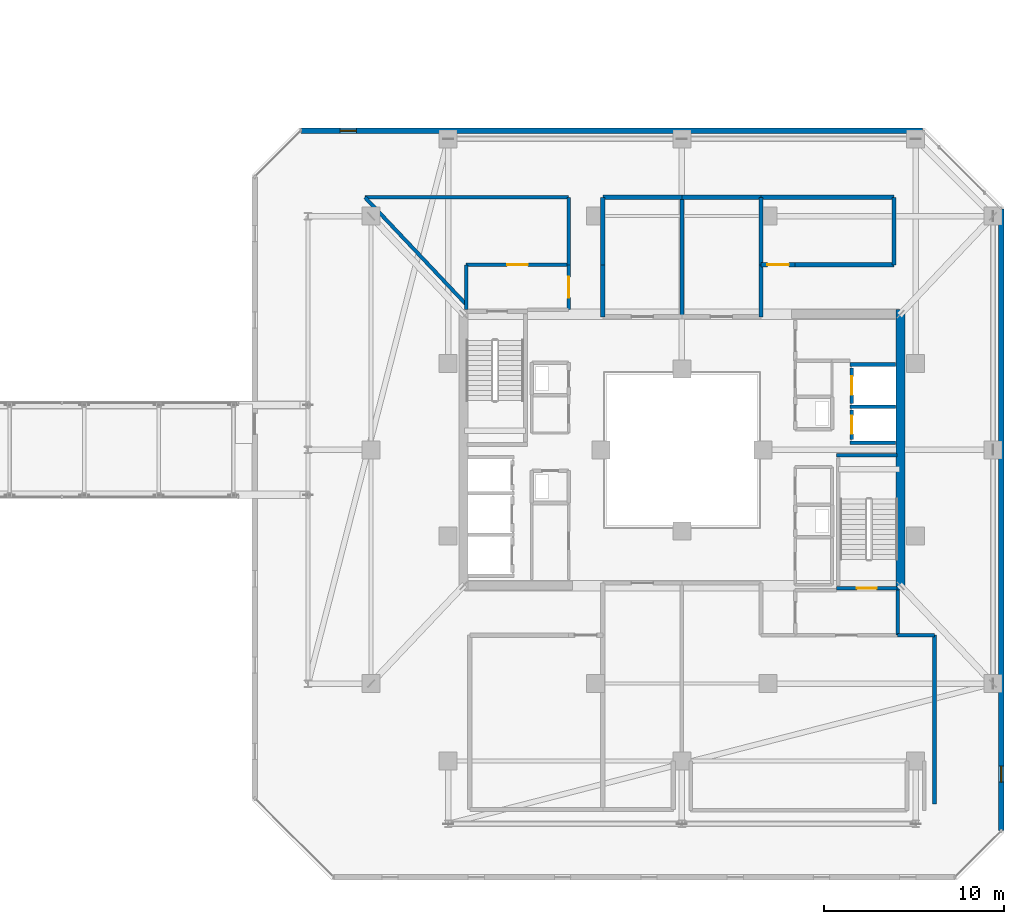
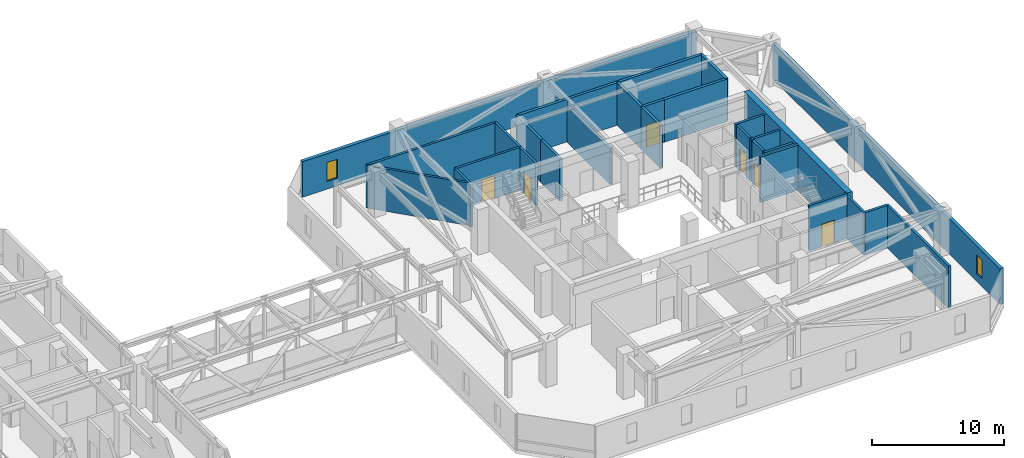
# One storey, part 39 of 42: 30 walls, 6 doors, 2 windows, 8 openings.
"""IFC4 building model written with IfcOpenShell, lengths in metres."""

from ifc_helpers import new_model, si_unit, direction, frame, frame_2d, origin, place, context, subcontext, project, spatial, rectangle, extrude, material, layer, layer_set, type_object, element, fill, save


model = new_model("IFC4")

# Units and contexts
model_context = context("Model", 3, precision=1e-05, world=origin(), true_north=direction((0.0, 1.0)))
body_context = subcontext(model_context, "Body", "Model", "MODEL_VIEW")
ifc_project = project(units=[si_unit("LENGTHUNIT", "METRE"), si_unit("AREAUNIT", "SQUARE_METRE"), si_unit("VOLUMEUNIT", "CUBIC_METRE"), si_unit("PLANEANGLEUNIT", "RADIAN"), si_unit("MASSUNIT", "GRAM", prefix="KILO")], contexts=[model_context])

# Site, building, storey
site_placement = place(None, origin())
site = spatial("IfcSite", under=ifc_project, at=site_placement, CompositionType="ELEMENT")
building_placement = place(site_placement, origin())
building = spatial("IfcBuilding", under=site, at=building_placement, Name="Thornwick Lancets Civic Towers", CompositionType="ELEMENT")
storey_placement = place(building_placement, frame((0.0, 0.0, 221.699951171875)))
storey = spatial("IfcBuildingStorey", under=building, at=storey_placement, Name="L59", CompositionType="ELEMENT", Elevation=221.699951171875)

# Wall, opening, door
ifc_material_1 = material(Name="Concrete blockwork C40/50", Category="masonry")
ifc_layer_1 = layer(ifc_material_1, 0.199951171875, Name="Concrete blockwork C40/50")
ifc_layer_set_1 = layer_set([ifc_layer_1], Name="Concrete blockwork C40/50")
wall_type_1 = type_object("IfcWallType", Name="WALL_COMP_200", PredefinedType="STANDARD", material=ifc_layer_set_1)
wall_1_placement = place(storey_placement, frame((97.949951171875, 29.219970703125, 0.0), z_axis=(0.0, 0.0, 1.0), x_axis=(0.0, -1.0, 0.0)))
wall_1 = element("IfcWall", 1, at=wall_1_placement, inside=storey, type_object=wall_type_1, Name="L59 Hoistway Front Wall FL-B1", PredefinedType="STANDARD", context=body_context, shape_type="SweptSolid", body=[
    extrude(rectangle(XDim=1.639892578125, YDim=0.199951171875, at=frame_2d((0.81982421875, 0.0))), origin(), (0.0, 0.0, 1.0), 3.93994140625),
])
opening_1_placement = place(wall_1_placement, frame((0.31005859375, 0.0, 0.0)))
opening_1 = element("IfcOpeningElement", 2, at=opening_1_placement, cuts=wall_1, Name="Opening LD-FL-B1", PredefinedType="OPENING", context=body_context, shape_type="SweptSolid", body=[
    extrude(rectangle(XDim=1.02001953125, YDim=2.06005859375, at=frame_2d((0.510009765625, 1.030029296875))), frame((0.0, 0.10986328125, 0.0), z_axis=(0.0, -1.0, 0.0), x_axis=(1.0, 0.0, 0.0)), (0.0, 0.0, 1.0), 0.219970703125),
])
ifc_material_2 = material(Name="Brushed bronze stainless steel", Category="steel")
door_type_1 = type_object("IfcDoorType", Name="DOOR_LIFT_SLIDE", OperationType="SLIDING_TO_LEFT", PredefinedType="DOOR", material=ifc_material_2)
door_1_placement = place(opening_1_placement, origin())
door_1 = element("IfcDoor", 3, at=door_1_placement, inside=storey, type_object=door_type_1, Name="L59 Sliding Lift Landing Door LD-FL-B1", OperationType="SLIDING_TO_LEFT", OverallHeight=2.06005859375, OverallWidth=1.02001953125, PredefinedType="DOOR", context=body_context, shape_type="SweptSolid", body=[
    extrude(rectangle(XDim=1.02001953125, YDim=2.06005859375, at=frame_2d((0.510009765625, 1.030029296875))), frame((0.0, 0.02490234375, 0.0), z_axis=(0.0, -1.0, 0.0), x_axis=(1.0, 0.0, 0.0)), (0.0, 0.0, 1.0), 0.050048828125),
])
fill(opening_1, door_1)

wall_2_placement = place(storey_placement, frame((97.949951171875, 31.570068359375, 0.0), z_axis=(0.0, 0.0, 1.0), x_axis=(0.0, -1.0, 0.0)))
wall_2 = element("IfcWall", 4, at=wall_2_placement, inside=storey, type_object=wall_type_1, Name="L59 Hoistway Front Wall PL-BH1", PredefinedType="STANDARD", context=body_context, shape_type="SweptSolid", body=[
    extrude(rectangle(XDim=1.989990234375, YDim=0.199951171875, at=frame_2d((0.9951171875, 0.0))), origin(), (0.0, 0.0, 1.0), 3.93994140625),
])
opening_2_placement = place(wall_2_placement, frame((0.485107421875, 0.0, 0.0)))
opening_2 = element("IfcOpeningElement", 5, at=opening_2_placement, cuts=wall_2, Name="Opening LD-PL-BH1", PredefinedType="OPENING", context=body_context, shape_type="SweptSolid", body=[
    extrude(rectangle(XDim=1.02001953125, YDim=2.06005859375, at=frame_2d((0.510009765625, 1.030029296875))), frame((0.0, 0.10986328125, 0.0), z_axis=(0.0, -1.0, 0.0), x_axis=(1.0, 0.0, 0.0)), (0.0, 0.0, 1.0), 0.219970703125),
])
door_2_placement = place(opening_2_placement, origin())
door_2 = element("IfcDoor", 6, at=door_2_placement, inside=storey, type_object=door_type_1, Name="L59 Sliding Lift Landing Door LD-PL-BH1", OperationType="SLIDING_TO_LEFT", OverallHeight=2.06005859375, OverallWidth=1.02001953125, PredefinedType="DOOR", context=body_context, shape_type="SweptSolid", body=[
    extrude(rectangle(XDim=1.02001953125, YDim=2.06005859375, at=frame_2d((0.510009765625, 1.030029296875))), frame((0.0, 0.02490234375, 0.0), z_axis=(0.0, -1.0, 0.0), x_axis=(1.0, 0.0, 0.0)), (0.0, 0.0, 1.0), 0.050048828125),
])
fill(opening_2, door_2)

# Walls
for number, where, z_axis, x_axis, name in (
    (7, (97.85205078125, 29.39990234375, 0.0), (0.0, 0.0, 1.0), (1.0, 0.0, 0.0), "L59 Hoistway Shaft Wall FL-B1 N"),
    (8, (97.85205078125, 27.39990234375, 0.0), (0.0, 0.0, 1.0), (1.0, 0.0, 0.0), "L59 Hoistway Shaft Wall FL-B1 S"),
    (9, (97.85205078125, 31.75, 0.0), (0.0, 0.0, 1.0), (1.0, 0.0, 0.0), "L59 Hoistway Shaft Wall PL-BH1 N"),
):
    element("IfcWall", number, at=place(storey_placement, frame(where, z_axis=z_axis, x_axis=x_axis)), inside=storey, type_object=wall_type_1, Name=name, PredefinedType="STANDARD", context=body_context, shape_type="SweptSolid", body=[
        extrude(rectangle(XDim=2.535888671875, YDim=0.199951171875, at=frame_2d((1.26806640625, 0.0))), origin(), (0.0, 0.0, 1.0), 3.93994140625),
    ])
wall_3_placement = place(storey_placement, frame((100.5, 16.699951171875, 0.0), z_axis=(0.0, 0.0, 1.0), x_axis=(0.0, 1.0, 0.0)))
element("IfcWall", 10, at=wall_3_placement, inside=storey, type_object=wall_type_1, Name="L59 Partition L59-B-FFLOB1 E2", PredefinedType="STANDARD", context=body_context, shape_type="SweptSolid", body=[
    extrude(rectangle(XDim=2.5, YDim=0.199951171875, at=frame_2d((1.25, 0.0))), origin(), (0.0, 0.0, 1.0), 3.93994140625),
])

# Wall, opening, door
wall_4_placement = place(storey_placement, frame((82.199951171875, 34.800048828125, 0.0), z_axis=(0.0, 0.0, 1.0), x_axis=(0.0, 1.0, 0.0)))
wall_4 = element("IfcWall", 11, at=wall_4_placement, inside=storey, type_object=wall_type_1, Name="L59 Partition L59-B-FFLOB2 E2", PredefinedType="STANDARD", context=body_context, shape_type="SweptSolid", body=[
    extrude(rectangle(XDim=2.5, YDim=0.199951171875, at=frame_2d((1.25, 0.0))), origin(), (0.0, 0.0, 1.0), 3.93994140625),
])
opening_3_placement = place(wall_4_placement, frame((0.675048828125, 0.0, 0.0)))
opening_3 = element("IfcOpeningElement", 12, at=opening_3_placement, cuts=wall_4, Name="Opening D-L59-2652", PredefinedType="OPENING", context=body_context, shape_type="SweptSolid", body=[
    extrude(rectangle(XDim=1.14990234375, YDim=2.10009765625, at=frame_2d((0.574951171875, 1.050048828125))), frame((0.0, 0.10986328125, 0.0), z_axis=(0.0, -1.0, 0.0), x_axis=(1.0, 0.0, 0.0)), (0.0, 0.0, 1.0), 0.219970703125),
])
ifc_material_3 = material(Name="Glazed fire-resisting steel", Category="steel")
door_type_2 = type_object("IfcDoorType", Name="DOOR_LOBBY_FD60", OperationType="NOTDEFINED", PredefinedType="DOOR", material=ifc_material_3)
door_3_placement = place(opening_3_placement, origin())
door_3 = element("IfcDoor", 13, at=door_3_placement, inside=storey, type_object=door_type_2, Name="L59 West Firefighting Lobby 2 Door", OperationType="SINGLE_SWING_LEFT", OverallHeight=2.10009765625, OverallWidth=1.14990234375, PredefinedType="DOOR", context=body_context, shape_type="SweptSolid", body=[
    extrude(rectangle(XDim=1.14990234375, YDim=2.10009765625, at=frame_2d((0.574951171875, 1.050048828125))), frame((0.0, 0.02490234375, 0.0), z_axis=(0.0, -1.0, 0.0), x_axis=(1.0, 0.0, 0.0)), (0.0, 0.0, 1.0), 0.050048828125),
])
fill(opening_3, door_3)

wall_5_placement = place(storey_placement, frame((82.199951171875, 37.300048828125, 0.0), z_axis=(0.0, 0.0, 1.0), x_axis=(-1.0, 0.0, 0.0)))
wall_5 = element("IfcWall", 14, at=wall_5_placement, inside=storey, type_object=wall_type_1, Name="L59 Partition L59-B-FFLOB2 E3", PredefinedType="STANDARD", context=body_context, shape_type="SweptSolid", body=[
    extrude(rectangle(XDim=5.699951171875, YDim=0.199951171875, at=frame_2d((2.85009765625, 0.0))), origin(), (0.0, 0.0, 1.0), 3.93994140625),
])
opening_4_placement = place(wall_5_placement, frame((2.27490234375, 0.0, 0.0)))
opening_4 = element("IfcOpeningElement", 15, at=opening_4_placement, cuts=wall_5, Name="Opening D-L59-2673", PredefinedType="OPENING", context=body_context, shape_type="SweptSolid", body=[
    extrude(rectangle(XDim=1.14990234375, YDim=2.10009765625, at=frame_2d((0.574951171875, 1.050048828125))), frame((0.0, 0.10986328125, 0.0), z_axis=(0.0, -1.0, 0.0), x_axis=(1.0, 0.0, 0.0)), (0.0, 0.0, 1.0), 0.219970703125),
])
door_4_placement = place(opening_4_placement, origin())
door_4 = element("IfcDoor", 16, at=door_4_placement, inside=storey, type_object=door_type_2, Name="L59 Tower B Refuge Holding Area 2 Door", OperationType="SINGLE_SWING_RIGHT", OverallHeight=2.10009765625, OverallWidth=1.14990234375, PredefinedType="DOOR", context=body_context, shape_type="SweptSolid", body=[
    extrude(rectangle(XDim=1.14990234375, YDim=2.10009765625, at=frame_2d((0.574951171875, 1.050048828125))), frame((0.0, 0.02490234375, 0.0), z_axis=(0.0, -1.0, 0.0), x_axis=(1.0, 0.0, 0.0)), (0.0, 0.0, 1.0), 0.050048828125),
])
fill(opening_4, door_4)

# Walls
wall_6_placement = place(storey_placement, frame((76.5, 37.300048828125, 0.0), z_axis=(0.0, 0.0, 1.0), x_axis=(0.0, -1.0, 0.0)))
element("IfcWall", 17, at=wall_6_placement, inside=storey, type_object=wall_type_1, Name="L59 Partition L59-B-FFLOB2 E4", PredefinedType="STANDARD", context=body_context, shape_type="SweptSolid", body=[
    extrude(rectangle(XDim=2.5, YDim=0.199951171875, at=frame_2d((1.25, 0.0))), origin(), (0.0, 0.0, 1.0), 3.93994140625),
])
wall_7_placement = place(storey_placement, frame((100.5, 16.699951171875, 0.0), z_axis=(0.0, 0.0, 1.0), x_axis=(1.0, 0.0, 0.0)))
element("IfcWall", 18, at=wall_7_placement, inside=storey, type_object=wall_type_1, Name="L59 Partition L59-B-REF1 E4", PredefinedType="STANDARD", context=body_context, shape_type="SweptSolid", body=[
    extrude(rectangle(XDim=2.050048828125, YDim=0.199951171875, at=frame_2d((1.02490234375, 0.0))), origin(), (0.0, 0.0, 1.0), 3.93994140625),
])
wall_8_placement = place(storey_placement, frame((102.550048828125, 16.699951171875, 0.0), z_axis=(0.0, 0.0, 1.0), x_axis=(0.0, -1.0, 0.0)))
element("IfcWall", 19, at=wall_8_placement, inside=storey, type_object=wall_type_1, Name="L59 Partition L59-B-REF1 E5", PredefinedType="STANDARD", context=body_context, shape_type="SweptSolid", body=[
    extrude(rectangle(XDim=9.4052734375, YDim=0.199951171875, at=frame_2d((4.70263671875, 0.0))), origin(), (0.0, 0.0, 1.0), 3.93994140625),
])
wall_9_placement = place(storey_placement, frame((76.5, 35.090087890625, 0.0), z_axis=(0.0, 0.0, 1.0), x_axis=(-0.686815846926, 0.72683147456, 0.0)))
element("IfcWall", 20, at=wall_9_placement, inside=storey, type_object=wall_type_1, Name="L59 Partition L59-B-REF2 E2", PredefinedType="STANDARD", context=body_context, shape_type="SweptSolid", body=[
    extrude(rectangle(XDim=8.199951171875, YDim=0.199951171875, at=frame_2d((4.10009765625, 0.0))), origin(), (0.0, 0.0, 1.0), 3.93994140625),
])
wall_10_placement = place(storey_placement, frame((70.8681640625, 41.050048828125, 0.0), z_axis=(0.0, 0.0, 1.0), x_axis=(1.0, 0.0, 0.0)))
element("IfcWall", 21, at=wall_10_placement, inside=storey, type_object=wall_type_1, Name="L59 Partition L59-B-REF2 E3", PredefinedType="STANDARD", context=body_context, shape_type="SweptSolid", body=[
    extrude(rectangle(XDim=11.331787109375, YDim=0.199951171875, at=frame_2d((5.666015625, 0.0))), origin(), (0.0, 0.0, 1.0), 3.93994140625),
])
wall_11_placement = place(storey_placement, frame((82.199951171875, 41.050048828125, 0.0), z_axis=(0.0, 0.0, 1.0), x_axis=(0.0, -1.0, 0.0)))
element("IfcWall", 22, at=wall_11_placement, inside=storey, type_object=wall_type_1, Name="L59 Partition L59-B-REF2 E4", PredefinedType="STANDARD", context=body_context, shape_type="SweptSolid", body=[
    extrude(rectangle(XDim=3.75, YDim=0.199951171875, at=frame_2d((1.875, 0.0))), origin(), (0.0, 0.0, 1.0), 3.93994140625),
])
ifc_layer_2 = layer(ifc_material_1, 0.239990234375, Name="Concrete blockwork C40/50")
ifc_layer_set_2 = layer_set([ifc_layer_2], Name="Concrete blockwork C40/50")
wall_type_2 = type_object("IfcWallType", Name="WALL_COMP_240", PredefinedType="STANDARD", material=ifc_layer_set_2)
wall_12_placement = place(storey_placement, frame((88.5, 34.39990234375, 0.0), z_axis=(0.0, 0.0, 1.0), x_axis=(0.0, 1.0, 0.0)))
element("IfcWall", 23, at=wall_12_placement, inside=storey, type_object=wall_type_2, Name="L59 Partition L59-B-PL-SMK E1", PredefinedType="STANDARD", context=body_context, shape_type="SweptSolid", body=[
    extrude(rectangle(XDim=6.650146484375, YDim=0.239990234375, at=frame_2d((3.3251953125, 0.0))), origin(), (0.0, 0.0, 1.0), 3.324951171875),
])
wall_13_placement = place(storey_placement, frame((88.5, 41.050048828125, 0.0), z_axis=(0.0, 0.0, 1.0), x_axis=(1.0, 0.0, 0.0)))
element("IfcWall", 24, at=wall_13_placement, inside=storey, type_object=wall_type_2, Name="L59 Partition L59-B-PL-SMK E2", PredefinedType="STANDARD", context=body_context, shape_type="SweptSolid", body=[
    extrude(rectangle(XDim=4.39990234375, YDim=0.239990234375, at=frame_2d((2.199951171875, 0.0))), origin(), (0.0, 0.0, 1.0), 3.93994140625),
])
wall_14_placement = place(storey_placement, frame((92.89990234375, 41.050048828125, 0.0), z_axis=(0.0, 0.0, 1.0), x_axis=(0.0, -1.0, 0.0)))
element("IfcWall", 25, at=wall_14_placement, inside=storey, type_object=wall_type_2, Name="L59 Partition L59-B-PL-SMK E3", PredefinedType="STANDARD", context=body_context, shape_type="SweptSolid", body=[
    extrude(rectangle(XDim=3.75, YDim=0.239990234375, at=frame_2d((1.875, 0.0))), origin(), (0.0, 0.0, 1.0), 3.93994140625),
])
for number, where, z_axis, x_axis, name in (
    (26, (92.89990234375, 37.300048828125, 0.0), (0.0, 0.0, 1.0), (0.0, -1.0, 0.0), "L59 Partition L59-B-PL-SMK E4"),
    (27, (84.10009765625, 34.39990234375, 0.0), (0.0, 0.0, 1.0), (0.0, 1.0, 0.0), "L59 Partition L59-B-PL-PRS E1"),
):
    element("IfcWall", number, at=place(storey_placement, frame(where, z_axis=z_axis, x_axis=x_axis)), inside=storey, type_object=wall_type_2, Name=name, PredefinedType="STANDARD", context=body_context, shape_type="SweptSolid", body=[
        extrude(rectangle(XDim=2.900146484375, YDim=0.239990234375, at=frame_2d((1.4501953125, 0.0))), origin(), (0.0, 0.0, 1.0), 3.93994140625),
    ])
wall_15_placement = place(storey_placement, frame((84.10009765625, 37.300048828125, 0.0), z_axis=(0.0, 0.0, 1.0), x_axis=(0.0, 1.0, 0.0)))
element("IfcWall", 28, at=wall_15_placement, inside=storey, type_object=wall_type_2, Name="L59 Partition L59-B-PL-PRS E2", PredefinedType="STANDARD", context=body_context, shape_type="SweptSolid", body=[
    extrude(rectangle(XDim=3.75, YDim=0.239990234375, at=frame_2d((1.875, 0.0))), origin(), (0.0, 0.0, 1.0), 3.93994140625),
])
wall_16_placement = place(storey_placement, frame((84.10009765625, 41.050048828125, 0.0), z_axis=(0.0, 0.0, 1.0), x_axis=(1.0, 0.0, 0.0)))
element("IfcWall", 29, at=wall_16_placement, inside=storey, type_object=wall_type_2, Name="L59 Partition L59-B-PL-PRS E3", PredefinedType="STANDARD", context=body_context, shape_type="SweptSolid", body=[
    extrude(rectangle(XDim=4.39990234375, YDim=0.239990234375, at=frame_2d((2.199951171875, 0.0))), origin(), (0.0, 0.0, 1.0), 3.93994140625),
])

# Wall, opening, door
wall_17_placement = place(storey_placement, frame((94.800048828125, 37.300048828125, 0.0), z_axis=(0.0, 0.0, 1.0), x_axis=(-1.0, 0.0, 0.0)))
wall_17 = element("IfcWall", 30, at=wall_17_placement, inside=storey, type_object=wall_type_2, Name="L59 Partition L59-B-PL-CHL E1", PredefinedType="STANDARD", context=body_context, shape_type="SweptSolid", body=[
    extrude(rectangle(XDim=1.900146484375, YDim=0.239990234375, at=frame_2d((0.9501953125, 0.0))), origin(), (0.0, 0.0, 1.0), 3.93994140625),
])
opening_5_placement = place(wall_17_placement, frame((0.35009765625, 0.0, 0.0)))
opening_5 = element("IfcOpeningElement", 31, at=opening_5_placement, cuts=wall_17, Name="Opening D-L59-2675", PredefinedType="OPENING", context=body_context, shape_type="SweptSolid", body=[
    extrude(rectangle(XDim=1.199951171875, YDim=2.10009765625, at=frame_2d((0.60009765625, 1.050048828125))), frame((0.0, 0.1298828125, 0.0), z_axis=(0.0, -1.0, 0.0), x_axis=(1.0, 0.0, 0.0)), (0.0, 0.0, 1.0), 0.260009765625),
])
ifc_material_4 = material(Name="Steel plant room doorset", Category="steel")
door_type_3 = type_object("IfcDoorType", Name="DOOR_PLANT_1200", OperationType="NOTDEFINED", PredefinedType="DOOR", material=ifc_material_4)
door_5_placement = place(opening_5_placement, origin())
door_5 = element("IfcDoor", 32, at=door_5_placement, inside=storey, type_object=door_type_3, Name="L59 Tower B Chiller and Heat-Pump Plant Room Door", OperationType="SINGLE_SWING_RIGHT", OverallHeight=2.10009765625, OverallWidth=1.199951171875, PredefinedType="DOOR", context=body_context, shape_type="SweptSolid", body=[
    extrude(rectangle(XDim=1.199951171875, YDim=2.10009765625, at=frame_2d((0.60009765625, 1.050048828125))), frame((0.0, 0.02490234375, 0.0), z_axis=(0.0, -1.0, 0.0), x_axis=(1.0, 0.0, 0.0)), (0.0, 0.0, 1.0), 0.050048828125),
])
fill(opening_5, door_5)

# Walls
wall_18_placement = place(storey_placement, frame((92.89990234375, 41.050048828125, 0.0), z_axis=(0.0, 0.0, 1.0), x_axis=(1.0, 0.0, 0.0)))
element("IfcWall", 33, at=wall_18_placement, inside=storey, type_object=wall_type_2, Name="L59 Partition L59-B-PL-CHL E3", PredefinedType="STANDARD", context=body_context, shape_type="SweptSolid", body=[
    extrude(rectangle(XDim=7.400146484375, YDim=0.239990234375, at=frame_2d((3.7001953125, 0.0))), origin(), (0.0, 0.0, 1.0), 3.93994140625),
])
wall_19_placement = place(storey_placement, frame((100.300048828125, 41.050048828125, 0.0), z_axis=(0.0, 0.0, 1.0), x_axis=(0.0, -1.0, 0.0)))
element("IfcWall", 34, at=wall_19_placement, inside=storey, type_object=wall_type_2, Name="L59 Partition L59-B-PL-CHL E4", PredefinedType="STANDARD", context=body_context, shape_type="SweptSolid", body=[
    extrude(rectangle(XDim=3.75, YDim=0.239990234375, at=frame_2d((1.875, 0.0))), origin(), (0.0, 0.0, 1.0), 3.93994140625),
])
wall_20_placement = place(storey_placement, frame((100.300048828125, 37.300048828125, 0.0), z_axis=(0.0, 0.0, 1.0), x_axis=(-1.0, 0.0, 0.0)))
element("IfcWall", 35, at=wall_20_placement, inside=storey, type_object=wall_type_2, Name="L59 Partition L59-B-PL-CHL E5", PredefinedType="STANDARD", context=body_context, shape_type="SweptSolid", body=[
    extrude(rectangle(XDim=5.5, YDim=0.239990234375, at=frame_2d((2.75, 0.0))), origin(), (0.0, 0.0, 1.0), 3.93994140625),
])
ifc_material_5 = material(Name="Concrete C50/60", Category="concrete")
ifc_layer_3 = layer(ifc_material_5, 0.5, Name="Concrete C50/60")
ifc_layer_set_3 = layer_set([ifc_layer_3], Name="Concrete C50/60")
wall_type_3 = type_object("IfcWallType", Name="WALL_CORE_500", PredefinedType="SHEAR", material=ifc_layer_set_3)
wall_21_placement = place(storey_placement, frame((100.64990234375, 19.199951171875, 0.0), z_axis=(0.0, 0.0, 1.0), x_axis=(0.0, 1.0, 0.0)))
element("IfcWall", 36, at=wall_21_placement, inside=storey, type_object=wall_type_3, Name="L59 Split Core B1 Shear Wall E", PredefinedType="SHEAR", context=body_context, shape_type="SweptSolid", body=[
    extrude(rectangle(XDim=15.60009765625, YDim=0.5, at=frame_2d((7.800048828125, 0.0))), origin(), (0.0, 0.0, 1.0), 4.199951171875),
])

# Wall, opening, window
ifc_material_6 = material(Name="Insulated russet terracotta rainscreen on concrete C40/50", Category="masonry")
ifc_layer_4 = layer(ifc_material_6, 0.300048828125, Name="Insulated russet terracotta rainscreen on concrete C40/50")
ifc_layer_set_4 = layer_set([ifc_layer_4], Name="Insulated russet terracotta rainscreen on concrete C40/50")
wall_type_4 = type_object("IfcWallType", Name="WALL_EXT_RUSSET_300", PredefinedType="STANDARD", material=ifc_layer_set_4)
wall_22_placement = place(storey_placement, frame((106.2646484375, 5.818603515625, 0.0), z_axis=(0.0, 0.0, 1.0), x_axis=(-0.000169493917, 0.999999985636, 0.0)))
wall_22 = element("IfcWall", 37, at=wall_22_placement, inside=storey, type_object=wall_type_4, Name="L59 Tower B Terracotta Facade Wall E2", PredefinedType="STANDARD", context=body_context, shape_type="SweptSolid", body=[
    extrude(rectangle(XDim=34.56982421875, YDim=0.300048828125, at=frame_2d((17.284912109375, 0.0))), origin(), (0.0, 0.0, 1.0), 3.300048828125),
])
opening_6_placement = place(wall_22_placement, frame((2.699951171875, 0.0, 0.719970703125)))
opening_6 = element("IfcOpeningElement", 38, at=opening_6_placement, cuts=wall_22, Name="Opening WL-01", PredefinedType="OPENING", context=body_context, shape_type="SweptSolid", body=[
    extrude(rectangle(XDim=0.89990234375, YDim=1.75, at=frame_2d((0.449951171875, 0.875))), frame((0.0, 0.16015625, 0.0), z_axis=(0.0, -1.0, 0.0), x_axis=(1.0, 0.0, 0.0)), (0.0, 0.0, 1.0), 0.320068359375),
])
ifc_material_7 = material(Name="Clear low-e double glazing in bronze frame", Category="glass")
window_type = type_object("IfcWindowType", Name="WIN_LANCET_900", PartitioningType="SINGLE_PANEL", PredefinedType="WINDOW", material=ifc_material_7)
window_1_placement = place(opening_6_placement, origin())
window_1 = element("IfcWindow", 39, at=window_1_placement, inside=storey, type_object=window_type, Name="L59 Tower B Staggered Lancet Window E2-1", OverallHeight=1.75, OverallWidth=0.89990234375, PartitioningType="SINGLE_PANEL", PredefinedType="WINDOW", context=body_context, shape_type="SweptSolid", body=[
    extrude(rectangle(XDim=0.89990234375, YDim=1.75, at=frame_2d((0.449951171875, 0.875))), frame((0.0, 0.030029296875, 0.0), z_axis=(0.0, -1.0, 0.0), x_axis=(1.0, 0.0, 0.0)), (0.0, 0.0, 1.0), 0.06005859375),
])
fill(opening_6, window_1)

wall_23_placement = place(storey_placement, frame((101.888427734375, 44.7587890625, 0.0), z_axis=(0.0, 0.0, 1.0), x_axis=(-0.999999985636, 0.000169493917, 0.0)))
wall_23 = element("IfcWall", 40, at=wall_23_placement, inside=storey, type_object=wall_type_4, Name="L59 Tower B Terracotta Facade Wall E4", PredefinedType="STANDARD", context=body_context, shape_type="SweptSolid", body=[
    extrude(rectangle(XDim=34.56982421875, YDim=0.300048828125, at=frame_2d((17.284912109375, 0.0))), origin(), (0.0, 0.0, 1.0), 3.300048828125),
])
opening_7_placement = place(wall_23_placement, frame((31.5, 0.0, 0.719970703125)))
opening_7 = element("IfcOpeningElement", 41, at=opening_7_placement, cuts=wall_23, Name="Opening WL-01", PredefinedType="OPENING", context=body_context, shape_type="SweptSolid", body=[
    extrude(rectangle(XDim=0.89990234375, YDim=1.75, at=frame_2d((0.449951171875, 0.875))), frame((0.0, 0.16015625, 0.0), z_axis=(0.0, -1.0, 0.0), x_axis=(1.0, 0.0, 0.0)), (0.0, 0.0, 1.0), 0.320068359375),
])
window_2_placement = place(opening_7_placement, origin())
window_2 = element("IfcWindow", 42, at=window_2_placement, inside=storey, type_object=window_type, Name="L59 Tower B Staggered Lancet Window E4-1", OverallHeight=1.75, OverallWidth=0.89990234375, PartitioningType="SINGLE_PANEL", PredefinedType="WINDOW", context=body_context, shape_type="SweptSolid", body=[
    extrude(rectangle(XDim=0.89990234375, YDim=1.75, at=frame_2d((0.449951171875, 0.875))), frame((0.0, 0.030029296875, 0.0), z_axis=(0.0, -1.0, 0.0), x_axis=(1.0, 0.0, 0.0)), (0.0, 0.0, 1.0), 0.06005859375),
])
fill(opening_7, window_2)

# Wall, opening, door
ifc_material_8 = material(Name="Concrete C40/50", Category="concrete")
ifc_layer_5 = layer(ifc_material_8, 0.199951171875, Name="Concrete C40/50")
ifc_layer_set_5 = layer_set([ifc_layer_5], Name="Concrete C40/50")
wall_type_5 = type_object("IfcWallType", Name="WALL_SHAFT_200", PredefinedType="SHEAR", material=ifc_layer_set_5)
wall_24_placement = place(storey_placement, frame((100.449951171875, 19.300048828125, 0.0), z_axis=(0.0, 0.0, 1.0), x_axis=(-1.0, 0.0, 0.0)))
wall_24 = element("IfcWall", 43, at=wall_24_placement, inside=storey, type_object=wall_type_5, Name="L59 ST-B1 Fire Stair Core Wall NEAR", PredefinedType="SHEAR", context=body_context, shape_type="SweptSolid", body=[
    extrude(rectangle(XDim=3.349853515625, YDim=0.199951171875, at=frame_2d((1.6748046875, 0.0))), origin(), (0.0, 0.0, 1.0), 4.199951171875),
])
opening_8_placement = place(wall_24_placement, frame((1.125, 0.0, 0.0)))
opening_8 = element("IfcOpeningElement", 44, at=opening_8_placement, cuts=wall_24, Name="Opening D-ST-B1-L59", PredefinedType="OPENING", context=body_context, shape_type="SweptSolid", body=[
    extrude(rectangle(XDim=1.10009765625, YDim=2.10009765625, at=frame_2d((0.550048828125, 1.050048828125))), frame((0.0, 0.10986328125, 0.0), z_axis=(0.0, -1.0, 0.0), x_axis=(1.0, 0.0, 0.0)), (0.0, 0.0, 1.0), 0.219970703125),
])
ifc_material_9 = material(Name="Fire-resisting steel and hardwood", Category="steel")
door_type_4 = type_object("IfcDoorType", Name="DOOR_STAIR_FD60", OperationType="NOTDEFINED", PredefinedType="DOOR", material=ifc_material_9)
door_6_placement = place(opening_8_placement, origin())
door_6 = element("IfcDoor", 45, at=door_6_placement, inside=storey, type_object=door_type_4, Name="L59 ST-B1 Exit Stair Door", OperationType="SINGLE_SWING_RIGHT", OverallHeight=2.10009765625, OverallWidth=1.10009765625, PredefinedType="DOOR", context=body_context, shape_type="SweptSolid", body=[
    extrude(rectangle(XDim=1.10009765625, YDim=2.10009765625, at=frame_2d((0.550048828125, 1.050048828125))), frame((0.0, 0.02490234375, 0.0), z_axis=(0.0, -1.0, 0.0), x_axis=(1.0, 0.0, 0.0)), (0.0, 0.0, 1.0), 0.050048828125),
])
fill(opening_8, door_6)

# Wall
wall_25_placement = place(storey_placement, frame((97.10009765625, 26.699951171875, 0.0), z_axis=(0.0, 0.0, 1.0), x_axis=(1.0, 0.0, 0.0)))
element("IfcWall", 46, at=wall_25_placement, inside=storey, type_object=wall_type_5, Name="L59 ST-B1 Fire Stair Core Wall FAR", PredefinedType="SHEAR", context=body_context, shape_type="SweptSolid", body=[
    extrude(rectangle(XDim=3.349853515625, YDim=0.199951171875, at=frame_2d((1.6748046875, 0.0))), origin(), (0.0, 0.0, 1.0), 4.199951171875),
])

save(model, "model.ifc")
